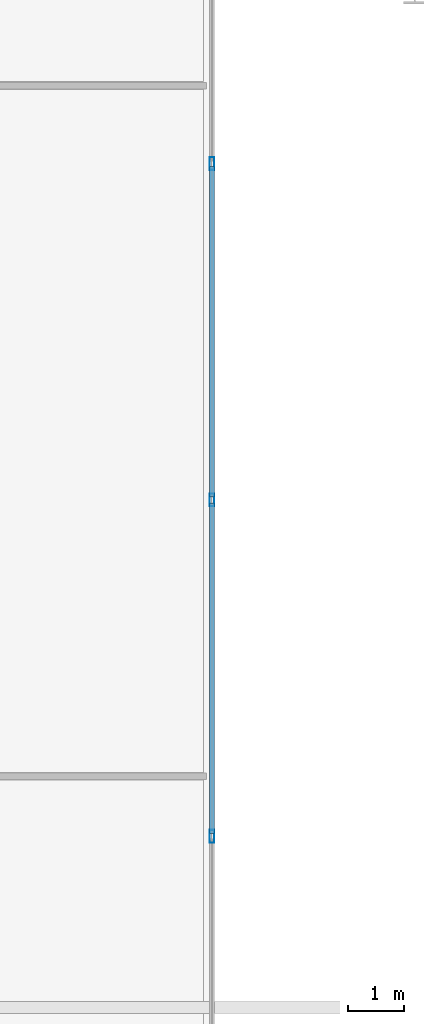
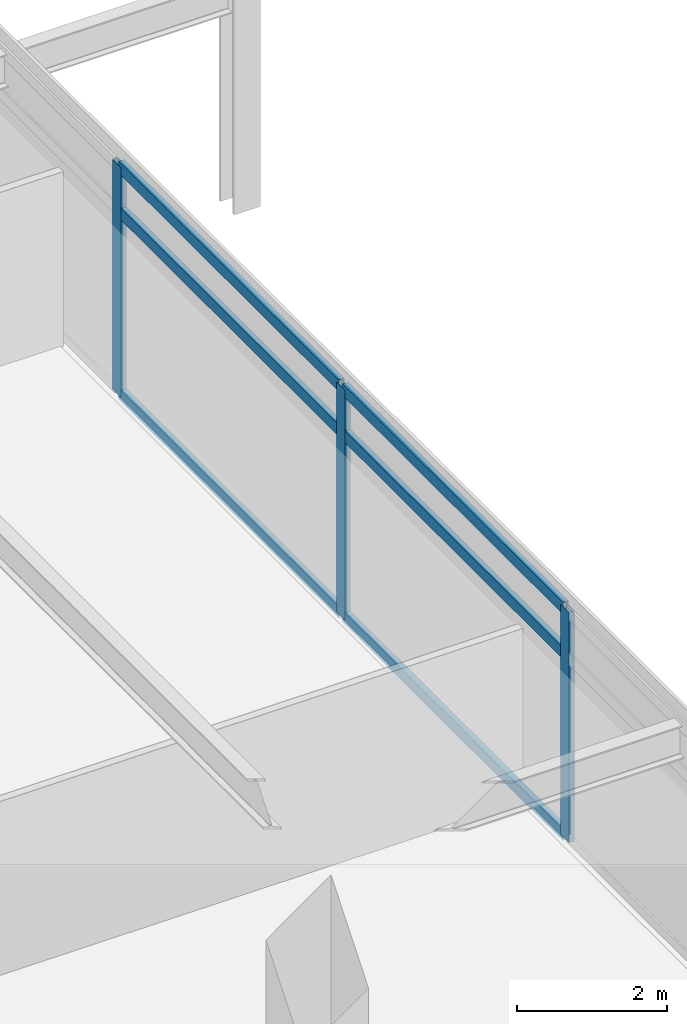
# One storey, part 4 of 20: 9 members, 1 element without a shape of its own.
"""IFC4 building model written with IfcOpenShell, lengths in metres."""

import ifcopenshell
import ifcopenshell.guid

model = None  # the IFC model being written
_history = None  # IfcOwnerHistory: only IFC2X3 demands one
_inside = {}  # id of a spatial element -> (the spatial element, [elements in it])
_under = {}  # id of a project, library or spatial element -> (it, [spatial elements below it])
_declared = {}  # id of a project -> (the project, [libraries it declares])
_typed = {}  # id of a type object -> (the type object, [elements of that type])
_made_of = {}  # id of a material, layer set ... -> (it, [elements and type objects made of it])


def new_model(schema):
    """Start an empty IFC model of exactly this schema.

    Asked for "IFC4X3", IfcOpenShell would pick the latest addendum, in which some entities
    have other attributes; the version numbers below select the first issue.
    IFC2X3 requires an IfcOwnerHistory on every rooted entity: one is made here for all.
    """
    global model, _history
    if schema == "IFC4X3":
        model = ifcopenshell.file(schema_version=(4, 3, 0, 0))
    else:
        model = ifcopenshell.file(schema=schema)
    _inside.clear()
    _under.clear()
    _declared.clear()
    _typed.clear()
    _made_of.clear()
    _history = None
    if model.schema == "IFC2X3":
        org = make("IfcOrganization", Name="unknown")
        user = make(
            "IfcPersonAndOrganization",
            ThePerson=make("IfcPerson", FamilyName="unknown"),
            TheOrganization=org,
        )
        app = make(
            "IfcApplication",
            ApplicationDeveloper=org,
            Version="unknown",
            ApplicationFullName="unknown",
            ApplicationIdentifier="unknown",
        )
        _history = make(
            "IfcOwnerHistory",
            OwningUser=user,
            OwningApplication=app,
            ChangeAction="ADDED",
            CreationDate=0,
        )
    return model


def make(cls, **values):
    """One entity of the class cls with the attributes given. An attribute that is None is left unset."""
    return model.create_entity(
        cls, **{name: value for name, value in values.items() if value is not None}
    )


def rooted(cls, **values):
    """An entity with a GlobalId (a new one), such as an element, a storey or a relation."""
    return make(cls, GlobalId=ifcopenshell.guid.new(), OwnerHistory=_history, **values)


def si_unit(unit_type, name, prefix=None):
    """IfcSIUnit, for example si_unit("LENGTHUNIT", "METRE", prefix="MILLI")."""
    return make("IfcSIUnit", UnitType=unit_type, Prefix=prefix, Name=name)


def assignment(units):
    """IfcUnitAssignment: the units of a project."""
    return None if units is None else make("IfcUnitAssignment", Units=units)


def point(xyz):
    """IfcCartesianPoint."""
    return None if xyz is None else make("IfcCartesianPoint", Coordinates=xyz)


def direction(xyz):
    """IfcDirection."""
    return None if xyz is None else make("IfcDirection", DirectionRatios=xyz)


def frame(location, z_axis=None, x_axis=None):
    """IfcAxis2Placement3D, a coordinate frame: its origin and axes. An axis left out is left unset."""
    return make(
        "IfcAxis2Placement3D",
        Location=point(location),
        Axis=direction(z_axis),
        RefDirection=direction(x_axis),
    )


def frame_2d(location, x_axis=None):
    """IfcAxis2Placement2D, a coordinate frame in the plane: its origin and x axis."""
    return make(
        "IfcAxis2Placement2D", Location=point(location), RefDirection=direction(x_axis)
    )


def origin():
    """The frame at (0, 0, 0) with its axes left unset."""
    return frame((0.0, 0.0, 0.0))


def origin_2d():
    """The frame at (0, 0) in the plane with its x axis left unset."""
    return frame_2d((0.0, 0.0))


def place(relative_to, where):
    """IfcLocalPlacement: puts the frame where relative to a parent placement (None: the world)."""
    return make(
        "IfcLocalPlacement", PlacementRelTo=relative_to, RelativePlacement=where
    )


def context(
    kind, dimensions, precision=None, world=None, true_north=None, identifier=None
):
    """IfcGeometricRepresentationContext, for example the 3D "Model" context."""
    return make(
        "IfcGeometricRepresentationContext",
        ContextIdentifier=identifier,
        ContextType=kind,
        CoordinateSpaceDimension=dimensions,
        Precision=precision,
        WorldCoordinateSystem=world,
        TrueNorth=true_north,
    )


def subcontext(parent, identifier, kind, view, scale=None):
    """IfcGeometricRepresentationSubContext, for example "Body" below "Model"."""
    return make(
        "IfcGeometricRepresentationSubContext",
        ContextIdentifier=identifier,
        ContextType=kind,
        ParentContext=parent,
        TargetScale=scale,
        TargetView=view,
    )


def project(units=None, contexts=None):
    """IfcProject with its units and contexts."""
    return rooted(
        "IfcProject",
        Name="project",
        RepresentationContexts=contexts,
        UnitsInContext=assignment(units),
    )


def spatial(cls, under=None, at=None, **own):
    """A site, building, storey or space (cls), placed at a placement, below another one or the project."""
    s = rooted(cls, ObjectPlacement=at, **own)
    if under is not None:
        _under.setdefault(under.id(), (under, []))[1].append(s)
    return s


def profile(cls, at=None, kind="AREA", **sizes):
    """A parametric profile (cls). Its sizes go by their IFC names, for example OverallWidth=200.0."""
    return make(cls, ProfileType=kind, Position=at, **sizes)


def hollow_rectangle(**sizes):
    """IfcRectangleHollowProfileDef."""
    return profile("IfcRectangleHollowProfileDef", **sizes)


def extrude(swept, where, along, depth):
    """IfcExtrudedAreaSolid: the profile swept, set in the frame where, extruded along a direction by depth."""
    return make(
        "IfcExtrudedAreaSolid",
        SweptArea=swept,
        Position=where,
        ExtrudedDirection=direction(along),
        Depth=depth,
    )


def shape(context_of_items, identifier, shape_type, items):
    """IfcShapeRepresentation: the items that make up one representation, for example the "Body"."""
    return make(
        "IfcShapeRepresentation",
        ContextOfItems=context_of_items,
        RepresentationIdentifier=identifier,
        RepresentationType=shape_type,
        Items=items,
    )


def material(Name=None, Category=None):
    """IfcMaterial."""
    return make("IfcMaterial", Name=Name, Category=Category)


def material_profile(
    of_material, cross_section, Name=None, Category=None, Priority=None
):
    """IfcMaterialProfile: a cross section and its material."""
    return make(
        "IfcMaterialProfile",
        Name=Name,
        Material=of_material,
        Profile=cross_section,
        Priority=Priority,
        Category=Category,
    )


def profile_set(profiles, Name=None, composite=None):
    """IfcMaterialProfileSet."""
    return make(
        "IfcMaterialProfileSet",
        Name=Name,
        MaterialProfiles=profiles,
        CompositeProfile=composite,
    )


def made_of(thing, what):
    """Note that an element or type object is made of a material, layer set ...; save() writes the relation."""
    if what is not None:
        _made_of.setdefault(what.id(), (what, []))[1].append(thing)
    return thing


def type_object(cls, material=None, **own):
    """A type object (cls), such as IfcWallType, which elements share."""
    return made_of(rooted(cls, **own), material)


def element(
    cls,
    number,
    at=None,
    inside=None,
    cuts=None,
    type_object=None,
    material=None,
    context=None,
    identifier="Body",
    shape_type=None,
    held_by="IfcProductDefinitionShape",
    body=None,
    shapes=None,
    **own,
):
    """One element of the class cls, such as IfcWall. Its Tag is "e" and its number.

    at: its placement. inside: the storey or other place that contains it. cuts: it is an
    opening in that element (IfcRelVoidsElement). A single representation is given by context,
    identifier, shape_type and body (its items); several are given by shapes. held_by: the class
    of the entity that holds the representations. save() writes the other relations.
    """
    e = rooted(cls, Tag="e%d" % number, ObjectPlacement=at, **own)
    if body is not None:
        shapes = [shape(context, identifier, shape_type, body)]
    if shapes is not None:
        e.Representation = make(held_by, Representations=shapes)
    if inside is not None:
        _inside.setdefault(inside.id(), (inside, []))[1].append(e)
    if cuts is not None:
        rooted(
            "IfcRelVoidsElement", RelatingBuildingElement=cuts, RelatedOpeningElement=e
        )
    if type_object is not None:
        _typed.setdefault(type_object.id(), (type_object, []))[1].append(e)
    return made_of(e, material)


def aggregate(whole, parts):
    """IfcRelAggregates: a whole, such as a stair, and the parts it consists of."""
    return rooted("IfcRelAggregates", RelatingObject=whole, RelatedObjects=parts)


def save(model, path):
    """Write the relations noted so far, then the file.

    IfcRelAggregates (storeys below a building ...), IfcRelContainedInSpatialStructure (elements
    in a storey), IfcRelDefinesByType, IfcRelAssociatesMaterial and IfcRelDeclares: one each for
    every whole, place, type object, material and project.
    """
    for whole, parts in _under.values():
        aggregate(whole, parts)
    for where, things in _inside.values():
        rooted(
            "IfcRelContainedInSpatialStructure",
            RelatedElements=things,
            RelatingStructure=where,
        )
    for kind, things in _typed.values():
        rooted("IfcRelDefinesByType", RelatedObjects=things, RelatingType=kind)
    for what, things in _made_of.values():
        rooted("IfcRelAssociatesMaterial", RelatedObjects=things, RelatingMaterial=what)
    for by, libraries in _declared.values():
        rooted("IfcRelDeclares", RelatingContext=by, RelatedDefinitions=libraries)
    model.write(path)


model = new_model("IFC4")

# Units and contexts
model_context = context("Model", 3, precision=1e-05, world=origin(), true_north=direction((0.0, 1.0)))
body_context = subcontext(model_context, "Body", "Model", "MODEL_VIEW")
ifc_project = project(units=[si_unit("LENGTHUNIT", "METRE"), si_unit("AREAUNIT", "SQUARE_METRE"), si_unit("VOLUMEUNIT", "CUBIC_METRE"), si_unit("PLANEANGLEUNIT", "RADIAN"), si_unit("MASSUNIT", "GRAM", prefix="KILO")], contexts=[model_context])

# Site, building, storey
site_placement = place(None, origin())
site = spatial("IfcSite", under=ifc_project, at=site_placement, CompositionType="ELEMENT")
building_placement = place(site_placement, origin())
building = spatial("IfcBuilding", under=site, at=building_placement, Name="Kovane Verandah Tower", CompositionType="ELEMENT")
storey_placement = place(building_placement, frame((0.0, 0.0, 306.800048828125)))
storey = spatial("IfcBuildingStorey", under=building, at=storey_placement, Name="L71", CompositionType="ELEMENT", Elevation=306.800048828125)

# Curtain wall, members
ifc_material_1 = material(Name="Champagne Anodised Aluminium Frame with Low-E Clear Laminated Glass", Category="aluminium")
curtain_wall_type = type_object("IfcCurtainWallType", Name="CW-SYS-05-HIGH", PredefinedType="NOTDEFINED", material=ifc_material_1)
curtain_wall_placement = place(storey_placement, origin())
curtain_wall = element("IfcCurtainWall", 1, at=curtain_wall_placement, inside=storey, type_object=curtain_wall_type, Name="L71 E Unitised Curtain Wall", PredefinedType="NOTDEFINED")
ifc_material_2 = material(Name="Champagne Anodised Aluminium 6063-T6", Category="aluminium")
ifc_material_profile_1 = material_profile(ifc_material_2, hollow_rectangle(XDim=0.0849609375, YDim=0.22998046875, WallThickness=0.00390625, at=origin_2d()), Name="AL85x230x4")
ifc_profile_set_1 = profile_set([ifc_material_profile_1], Name="Champagne Anodised Aluminium 6063-T6")
member_type_1 = type_object("IfcMemberType", Name="CW-MUL-85x230", PredefinedType="MULLION", material=ifc_profile_set_1)
member_1_placement = place(storey_placement, frame((64.0, 21.533203125, 0.02001953125), z_axis=(0.0, 0.0, 1.0), x_axis=(1.0, 0.0, 0.0)))
member_1 = element("IfcMember", 2, at=member_1_placement, type_object=member_type_1, Name="L71 E Unitised Curtain Wall Mullion 3", PredefinedType="MULLION", context=body_context, shape_type="SweptSolid", body=[
    extrude(hollow_rectangle(XDim=0.0849609375, YDim=0.22998046875, WallThickness=0.00390625, at=origin_2d()), origin(), (0.0, 0.0, 1.0), 3.744873046875),
])
member_2_placement = place(storey_placement, frame((64.0, 27.5, 0.02001953125), z_axis=(0.0, 0.0, 1.0), x_axis=(1.0, 0.0, 0.0)))
member_2 = element("IfcMember", 3, at=member_2_placement, type_object=member_type_1, Name="L71 E Unitised Curtain Wall Mullion 4", PredefinedType="MULLION", context=body_context, shape_type="SweptSolid", body=[
    extrude(hollow_rectangle(XDim=0.0849609375, YDim=0.22998046875, WallThickness=0.00390625, at=origin_2d()), origin(), (0.0, 0.0, 1.0), 3.744873046875),
])
member_3_placement = place(storey_placement, frame((64.0, 33.466796875, 0.02001953125), z_axis=(0.0, 0.0, 1.0), x_axis=(1.0, 0.0, 0.0)))
member_3 = element("IfcMember", 4, at=member_3_placement, type_object=member_type_1, Name="L71 E Unitised Curtain Wall Mullion 5", PredefinedType="MULLION", context=body_context, shape_type="SweptSolid", body=[
    extrude(hollow_rectangle(XDim=0.0849609375, YDim=0.22998046875, WallThickness=0.00390625, at=origin_2d()), origin(), (0.0, 0.0, 1.0), 3.744873046875),
])
ifc_material_profile_2 = material_profile(ifc_material_2, hollow_rectangle(XDim=0.0849609375, YDim=0.18994140625, WallThickness=0.00390625, at=origin_2d()), Name="AL85x190x4")
ifc_profile_set_2 = profile_set([ifc_material_profile_2], Name="Champagne Anodised Aluminium 6063-T6")
member_type_2 = type_object("IfcMemberType", Name="CW-TRN-85x190", PredefinedType="USERDEFINED", material=ifc_profile_set_2)
member_4_placement = place(storey_placement, frame((64.0, 21.583251953125, 0.050048828125), z_axis=(0.0, 1.0, 0.0), x_axis=(-1.0, 0.0, 0.0)))
member_4 = element("IfcMember", 5, at=member_4_placement, type_object=member_type_2, Name="L71 E Unitised Curtain Wall Transom TB Bay 3", ObjectType="TRANSOM", PredefinedType="USERDEFINED", context=body_context, shape_type="SweptSolid", body=[
    extrude(hollow_rectangle(XDim=0.0849609375, YDim=0.18994140625, WallThickness=0.00390625, at=origin_2d()), origin(), (0.0, 0.0, 1.0), 5.86669921875),
])
member_5_placement = place(storey_placement, frame((64.0, 21.583251953125, 3.0048828125), z_axis=(0.0, 1.0, 0.0), x_axis=(-1.0, 0.0, 0.0)))
member_5 = element("IfcMember", 6, at=member_5_placement, type_object=member_type_2, Name="L71 E Unitised Curtain Wall Transom TM Bay 3", ObjectType="TRANSOM", PredefinedType="USERDEFINED", context=body_context, shape_type="SweptSolid", body=[
    extrude(hollow_rectangle(XDim=0.0849609375, YDim=0.18994140625, WallThickness=0.00390625, at=origin_2d()), origin(), (0.0, 0.0, 1.0), 5.86669921875),
])
member_6_placement = place(storey_placement, frame((64.0, 21.583251953125, 3.73486328125), z_axis=(0.0, 1.0, 0.0), x_axis=(-1.0, 0.0, 0.0)))
member_6 = element("IfcMember", 7, at=member_6_placement, type_object=member_type_2, Name="L71 E Unitised Curtain Wall Transom TT Bay 3", ObjectType="TRANSOM", PredefinedType="USERDEFINED", context=body_context, shape_type="SweptSolid", body=[
    extrude(hollow_rectangle(XDim=0.0849609375, YDim=0.18994140625, WallThickness=0.00390625, at=origin_2d()), origin(), (0.0, 0.0, 1.0), 5.86669921875),
])
member_7_placement = place(storey_placement, frame((64.0, 27.550048828125, 0.050048828125), z_axis=(0.0, 1.0, 0.0), x_axis=(-1.0, 0.0, 0.0)))
member_7 = element("IfcMember", 8, at=member_7_placement, type_object=member_type_2, Name="L71 E Unitised Curtain Wall Transom TB Bay 4", ObjectType="TRANSOM", PredefinedType="USERDEFINED", context=body_context, shape_type="SweptSolid", body=[
    extrude(hollow_rectangle(XDim=0.0849609375, YDim=0.18994140625, WallThickness=0.00390625, at=origin_2d()), origin(), (0.0, 0.0, 1.0), 5.86669921875),
])
member_8_placement = place(storey_placement, frame((64.0, 27.550048828125, 3.0048828125), z_axis=(0.0, 1.0, 0.0), x_axis=(-1.0, 0.0, 0.0)))
member_8 = element("IfcMember", 9, at=member_8_placement, type_object=member_type_2, Name="L71 E Unitised Curtain Wall Transom TM Bay 4", ObjectType="TRANSOM", PredefinedType="USERDEFINED", context=body_context, shape_type="SweptSolid", body=[
    extrude(hollow_rectangle(XDim=0.0849609375, YDim=0.18994140625, WallThickness=0.00390625, at=origin_2d()), origin(), (0.0, 0.0, 1.0), 5.86669921875),
])
member_9_placement = place(storey_placement, frame((64.0, 27.550048828125, 3.73486328125), z_axis=(0.0, 1.0, 0.0), x_axis=(-1.0, 0.0, 0.0)))
member_9 = element("IfcMember", 10, at=member_9_placement, type_object=member_type_2, Name="L71 E Unitised Curtain Wall Transom TT Bay 4", ObjectType="TRANSOM", PredefinedType="USERDEFINED", context=body_context, shape_type="SweptSolid", body=[
    extrude(hollow_rectangle(XDim=0.0849609375, YDim=0.18994140625, WallThickness=0.00390625, at=origin_2d()), origin(), (0.0, 0.0, 1.0), 5.86669921875),
])
aggregate(curtain_wall, [member_1, member_2, member_3, member_4, member_5, member_6, member_7, member_8, member_9])

save(model, "model.ifc")
